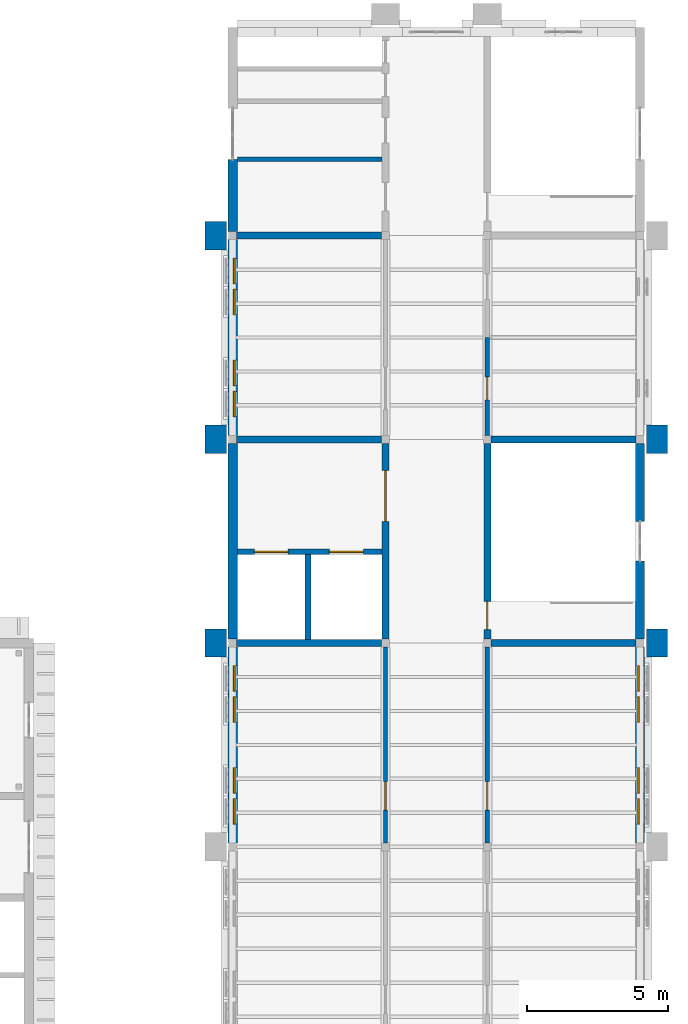
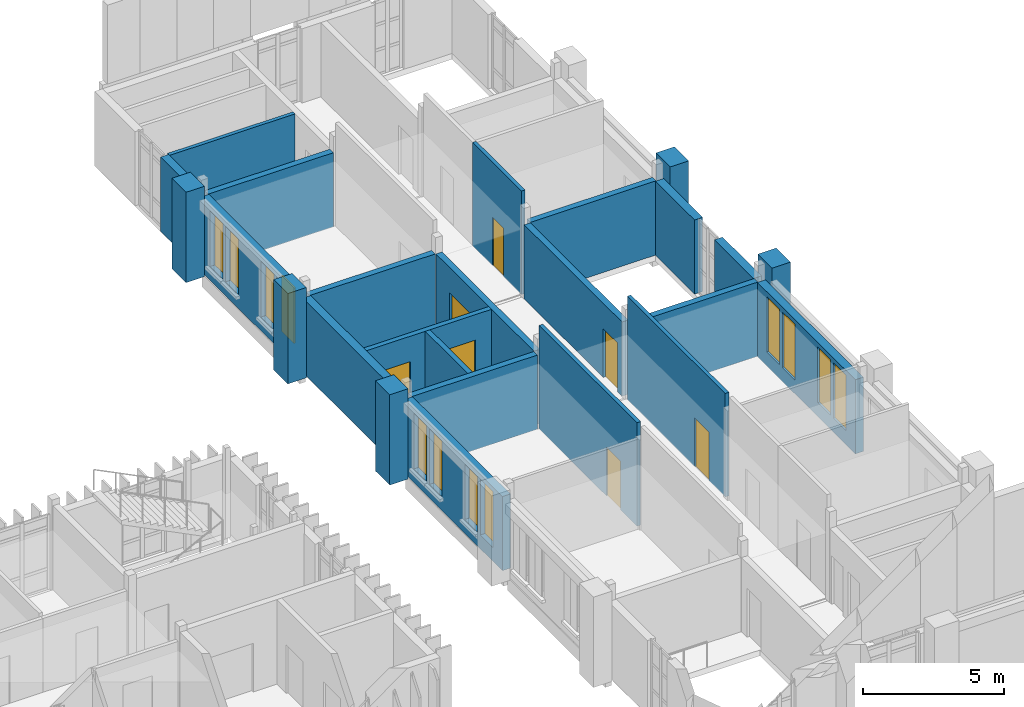
# One storey, part 47 of 71: 25 walls, 12 windows, 7 doors, 19 openings.
"""IFC4 building model written with IfcOpenShell, lengths in metres."""

from ifc_helpers import new_model, si_unit, direction, frame, frame_2d, origin, place, context, subcontext, project, spatial, rectangle, extrude, material, layer, layer_set, type_object, element, fill, save


model = new_model("IFC4")

# Units and contexts
model_context = context("Model", 3, precision=1e-05, world=origin(), true_north=direction((0.0, 1.0)))
body_context = subcontext(model_context, "Body", "Model", "MODEL_VIEW")
ifc_project = project(units=[si_unit("LENGTHUNIT", "METRE"), si_unit("AREAUNIT", "SQUARE_METRE"), si_unit("VOLUMEUNIT", "CUBIC_METRE"), si_unit("PLANEANGLEUNIT", "RADIAN"), si_unit("MASSUNIT", "GRAM", prefix="KILO")], contexts=[model_context])

# Site, building, storey
site_placement = place(None, origin())
site = spatial("IfcSite", under=ifc_project, at=site_placement, CompositionType="ELEMENT")
building_placement = place(site_placement, origin())
building = spatial("IfcBuilding", under=site, at=building_placement, Name="Mazhai Court Health Centre", CompositionType="ELEMENT")
storey_placement = place(building_placement, frame((0.0, 0.0, 10.199951171875)))
storey = spatial("IfcBuildingStorey", under=building, at=storey_placement, Name="L02", CompositionType="ELEMENT", Elevation=10.199951171875)

# Walls
ifc_material_1 = material(Name="Clay brick masonry", Category="masonry")
ifc_layer_1 = layer(ifc_material_1, 0.75)
ifc_layer_set_1 = layer_set([ifc_layer_1], Name="BRICK PIER 750")
wall_type_1 = type_object("IfcWallType", Name="BRICK PIER 750", PredefinedType="SOLIDWALL", material=ifc_layer_set_1)
for number, where, z_axis, x_axis, name in (
    (1, (135.199951171875, 27.300048828125, 0.0), (0.0, 0.0, 1.0), (0.0, 1.0, 0.0), "EP-V6-L02-A3"),
    (2, (135.199951171875, 34.5, 0.0), (0.0, 0.0, 1.0), (0.0, 1.0, 0.0), "EP-V6-L02-A4"),
    (3, (135.199951171875, 41.699951171875, 0.0), (0.0, 0.0, 1.0), (0.0, 1.0, 0.0), "EP-V6-L02-A5"),
    (4, (150.800048828125, 28.300048828125, 0.0), (0.0, 0.0, 1.0), (0.0, -1.0, 0.0), "EP-V6-L02-B3"),
    (5, (150.800048828125, 35.5, 0.0), (0.0, 0.0, 1.0), (0.0, -1.0, 0.0), "EP-V6-L02-B4"),
):
    element("IfcWall", number, at=place(storey_placement, frame(where, z_axis=z_axis, x_axis=x_axis)), inside=storey, type_object=wall_type_1, Name=name, PredefinedType="SOLIDWALL", context=body_context, shape_type="SweptSolid", body=[
        extrude(rectangle(XDim=1.0, YDim=0.75, at=frame_2d((0.5, 0.0))), origin(), (0.0, 0.0, 1.0), 3.900146484375),
    ])

# Wall, openings, windows
ifc_material_2 = material(Name="Clay brick masonry", Category="masonry")
ifc_layer_2 = layer(ifc_material_2, 0.330078125)
ifc_layer_set_2 = layer_set([ifc_layer_2], Name="BRICK WALL 330 EXTERNAL")
wall_type_2 = type_object("IfcWallType", Name="BRICK WALL 330 EXTERNAL", PredefinedType="SOLIDWALL", material=ifc_layer_set_2)
wall_1_placement = place(storey_placement, frame((135.800048828125, 20.739990234375, 0.0), z_axis=(0.0, 0.0, 1.0), x_axis=(0.0, 1.0, 0.0)))
wall_1 = element("IfcWall", 6, at=wall_1_placement, inside=storey, type_object=wall_type_2, Name="EW-V6-L02-A2p0", PredefinedType="SOLIDWALL", context=body_context, shape_type="SweptSolid", body=[
    extrude(rectangle(XDim=6.919921875, YDim=0.330078125, at=frame_2d((3.4599609375, 0.0))), origin(), (0.0, 0.0, 1.0), 3.199951171875),
])
opening_1_placement = place(wall_1_placement, frame((0.659912109375, 0.0, 0.60009765625)))
opening_1 = element("IfcOpeningElement", 7, at=opening_1_placement, cuts=wall_1, Name="Opening W14", PredefinedType="OPENING", context=body_context, shape_type="SweptSolid", body=[
    extrude(rectangle(XDim=0.89990234375, YDim=2.39990234375, at=frame_2d((0.449951171875, 1.199951171875))), frame((0.0, 0.175048828125, 0.0), z_axis=(0.0, -1.0, 0.0), x_axis=(1.0, 0.0, 0.0)), (0.0, 0.0, 1.0), 0.35009765625),
])
opening_2_placement = place(wall_1_placement, frame((1.760009765625, 0.0, 0.60009765625)))
opening_2 = element("IfcOpeningElement", 8, at=opening_2_placement, cuts=wall_1, Name="Opening W14", PredefinedType="OPENING", context=body_context, shape_type="SweptSolid", body=[
    extrude(rectangle(XDim=0.89990234375, YDim=2.39990234375, at=frame_2d((0.449951171875, 1.199951171875))), frame((0.0, 0.175048828125, 0.0), z_axis=(0.0, -1.0, 0.0), x_axis=(1.0, 0.0, 0.0)), (0.0, 0.0, 1.0), 0.35009765625),
])
opening_3_placement = place(wall_1_placement, frame((4.260009765625, 0.0, 0.60009765625)))
opening_3 = element("IfcOpeningElement", 9, at=opening_3_placement, cuts=wall_1, Name="Opening W14", PredefinedType="OPENING", context=body_context, shape_type="SweptSolid", body=[
    extrude(rectangle(XDim=0.89990234375, YDim=2.39990234375, at=frame_2d((0.449951171875, 1.199951171875))), frame((0.0, 0.175048828125, 0.0), z_axis=(0.0, -1.0, 0.0), x_axis=(1.0, 0.0, 0.0)), (0.0, 0.0, 1.0), 0.35009765625),
])
opening_4_placement = place(wall_1_placement, frame((5.360107421875, 0.0, 0.60009765625)))
opening_4 = element("IfcOpeningElement", 10, at=opening_4_placement, cuts=wall_1, Name="Opening W14", PredefinedType="OPENING", context=body_context, shape_type="SweptSolid", body=[
    extrude(rectangle(XDim=0.89990234375, YDim=2.39990234375, at=frame_2d((0.449951171875, 1.199951171875))), frame((0.0, 0.175048828125, 0.0), z_axis=(0.0, -1.0, 0.0), x_axis=(1.0, 0.0, 0.0)), (0.0, 0.0, 1.0), 0.35009765625),
])
ifc_material_3 = material(Name="Teak timber frame, glazed", Category="wood")
window_type = type_object("IfcWindowType", Name="WINDOW TALL PAIRED 900x2400", PartitioningType="SINGLE_PANEL", PredefinedType="WINDOW", material=ifc_material_3)
window_1_placement = place(opening_1_placement, origin())
window_1 = element("IfcWindow", 11, at=window_1_placement, inside=storey, type_object=window_type, Name="W14 WN-V6-L02-A20a", OverallHeight=2.39990234375, OverallWidth=0.89990234375, PartitioningType="SINGLE_PANEL", PredefinedType="WINDOW", context=body_context, shape_type="SweptSolid", body=[
    extrude(rectangle(XDim=0.89990234375, YDim=2.39990234375, at=frame_2d((0.449951171875, 1.199951171875))), frame((0.0, -0.030029296875, 0.0), z_axis=(0.0, -1.0, 0.0), x_axis=(1.0, 0.0, 0.0)), (0.0, 0.0, 1.0), 0.06005859375),
])
fill(opening_1, window_1)
window_2_placement = place(opening_2_placement, origin())
window_2 = element("IfcWindow", 12, at=window_2_placement, inside=storey, type_object=window_type, Name="W14 WN-V6-L02-A20b", OverallHeight=2.39990234375, OverallWidth=0.89990234375, PartitioningType="SINGLE_PANEL", PredefinedType="WINDOW", context=body_context, shape_type="SweptSolid", body=[
    extrude(rectangle(XDim=0.89990234375, YDim=2.39990234375, at=frame_2d((0.449951171875, 1.199951171875))), frame((0.0, -0.030029296875, 0.0), z_axis=(0.0, -1.0, 0.0), x_axis=(1.0, 0.0, 0.0)), (0.0, 0.0, 1.0), 0.06005859375),
])
fill(opening_2, window_2)
window_3_placement = place(opening_3_placement, origin())
window_3 = element("IfcWindow", 13, at=window_3_placement, inside=storey, type_object=window_type, Name="W14 WN-V6-L02-A21a", OverallHeight=2.39990234375, OverallWidth=0.89990234375, PartitioningType="SINGLE_PANEL", PredefinedType="WINDOW", context=body_context, shape_type="SweptSolid", body=[
    extrude(rectangle(XDim=0.89990234375, YDim=2.39990234375, at=frame_2d((0.449951171875, 1.199951171875))), frame((0.0, -0.030029296875, 0.0), z_axis=(0.0, -1.0, 0.0), x_axis=(1.0, 0.0, 0.0)), (0.0, 0.0, 1.0), 0.06005859375),
])
fill(opening_3, window_3)
window_4_placement = place(opening_4_placement, origin())
window_4 = element("IfcWindow", 14, at=window_4_placement, inside=storey, type_object=window_type, Name="W14 WN-V6-L02-A21b", OverallHeight=2.39990234375, OverallWidth=0.89990234375, PartitioningType="SINGLE_PANEL", PredefinedType="WINDOW", context=body_context, shape_type="SweptSolid", body=[
    extrude(rectangle(XDim=0.89990234375, YDim=2.39990234375, at=frame_2d((0.449951171875, 1.199951171875))), frame((0.0, -0.030029296875, 0.0), z_axis=(0.0, -1.0, 0.0), x_axis=(1.0, 0.0, 0.0)), (0.0, 0.0, 1.0), 0.06005859375),
])
fill(opening_4, window_4)

# Wall
wall_2_placement = place(storey_placement, frame((135.800048828125, 27.93994140625, 0.0), z_axis=(0.0, 0.0, 1.0), x_axis=(0.0, 1.0, 0.0)))
element("IfcWall", 15, at=wall_2_placement, inside=storey, type_object=wall_type_2, Name="EW-V6-L02-A3", PredefinedType="SOLIDWALL", context=body_context, shape_type="SweptSolid", body=[
    extrude(rectangle(XDim=6.920166015625, YDim=0.330078125, at=frame_2d((3.4599609375, 0.0))), origin(), (0.0, 0.0, 1.0), 3.199951171875),
])

# Wall, openings, windows
wall_3_placement = place(storey_placement, frame((135.800048828125, 35.139892578125, 0.0), z_axis=(0.0, 0.0, 1.0), x_axis=(0.0, 1.0, 0.0)))
wall_3 = element("IfcWall", 16, at=wall_3_placement, inside=storey, type_object=wall_type_2, Name="EW-V6-L02-A4p0", PredefinedType="SOLIDWALL", context=body_context, shape_type="SweptSolid", body=[
    extrude(rectangle(XDim=6.920166015625, YDim=0.330078125, at=frame_2d((3.4599609375, 0.0))), origin(), (0.0, 0.0, 1.0), 3.199951171875),
])
opening_5_placement = place(wall_3_placement, frame((0.659912109375, 0.0, 0.60009765625)))
opening_5 = element("IfcOpeningElement", 17, at=opening_5_placement, cuts=wall_3, Name="Opening W14", PredefinedType="OPENING", context=body_context, shape_type="SweptSolid", body=[
    extrude(rectangle(XDim=0.89990234375, YDim=2.39990234375, at=frame_2d((0.449951171875, 1.199951171875))), frame((0.0, 0.175048828125, 0.0), z_axis=(0.0, -1.0, 0.0), x_axis=(1.0, 0.0, 0.0)), (0.0, 0.0, 1.0), 0.35009765625),
])
opening_6_placement = place(wall_3_placement, frame((1.760009765625, 0.0, 0.60009765625)))
opening_6 = element("IfcOpeningElement", 18, at=opening_6_placement, cuts=wall_3, Name="Opening W14", PredefinedType="OPENING", context=body_context, shape_type="SweptSolid", body=[
    extrude(rectangle(XDim=0.89990234375, YDim=2.39990234375, at=frame_2d((0.449951171875, 1.199951171875))), frame((0.0, 0.175048828125, 0.0), z_axis=(0.0, -1.0, 0.0), x_axis=(1.0, 0.0, 0.0)), (0.0, 0.0, 1.0), 0.35009765625),
])
opening_7_placement = place(wall_3_placement, frame((4.260009765625, 0.0, 0.60009765625)))
opening_7 = element("IfcOpeningElement", 19, at=opening_7_placement, cuts=wall_3, Name="Opening W14", PredefinedType="OPENING", context=body_context, shape_type="SweptSolid", body=[
    extrude(rectangle(XDim=0.89990234375, YDim=2.39990234375, at=frame_2d((0.449951171875, 1.199951171875))), frame((0.0, 0.175048828125, 0.0), z_axis=(0.0, -1.0, 0.0), x_axis=(1.0, 0.0, 0.0)), (0.0, 0.0, 1.0), 0.35009765625),
])
opening_8_placement = place(wall_3_placement, frame((5.360107421875, 0.0, 0.60009765625)))
opening_8 = element("IfcOpeningElement", 20, at=opening_8_placement, cuts=wall_3, Name="Opening W14", PredefinedType="OPENING", context=body_context, shape_type="SweptSolid", body=[
    extrude(rectangle(XDim=0.89990234375, YDim=2.39990234375, at=frame_2d((0.449951171875, 1.199951171875))), frame((0.0, 0.175048828125, 0.0), z_axis=(0.0, -1.0, 0.0), x_axis=(1.0, 0.0, 0.0)), (0.0, 0.0, 1.0), 0.35009765625),
])
window_5_placement = place(opening_5_placement, origin())
window_5 = element("IfcWindow", 21, at=window_5_placement, inside=storey, type_object=window_type, Name="W14 WN-V6-L02-A40a", OverallHeight=2.39990234375, OverallWidth=0.89990234375, PartitioningType="SINGLE_PANEL", PredefinedType="WINDOW", context=body_context, shape_type="SweptSolid", body=[
    extrude(rectangle(XDim=0.89990234375, YDim=2.39990234375, at=frame_2d((0.449951171875, 1.199951171875))), frame((0.0, -0.030029296875, 0.0), z_axis=(0.0, -1.0, 0.0), x_axis=(1.0, 0.0, 0.0)), (0.0, 0.0, 1.0), 0.06005859375),
])
fill(opening_5, window_5)
window_6_placement = place(opening_6_placement, origin())
window_6 = element("IfcWindow", 22, at=window_6_placement, inside=storey, type_object=window_type, Name="W14 WN-V6-L02-A40b", OverallHeight=2.39990234375, OverallWidth=0.89990234375, PartitioningType="SINGLE_PANEL", PredefinedType="WINDOW", context=body_context, shape_type="SweptSolid", body=[
    extrude(rectangle(XDim=0.89990234375, YDim=2.39990234375, at=frame_2d((0.449951171875, 1.199951171875))), frame((0.0, -0.030029296875, 0.0), z_axis=(0.0, -1.0, 0.0), x_axis=(1.0, 0.0, 0.0)), (0.0, 0.0, 1.0), 0.06005859375),
])
fill(opening_6, window_6)
window_7_placement = place(opening_7_placement, origin())
window_7 = element("IfcWindow", 23, at=window_7_placement, inside=storey, type_object=window_type, Name="W14 WN-V6-L02-A41a", OverallHeight=2.39990234375, OverallWidth=0.89990234375, PartitioningType="SINGLE_PANEL", PredefinedType="WINDOW", context=body_context, shape_type="SweptSolid", body=[
    extrude(rectangle(XDim=0.89990234375, YDim=2.39990234375, at=frame_2d((0.449951171875, 1.199951171875))), frame((0.0, -0.030029296875, 0.0), z_axis=(0.0, -1.0, 0.0), x_axis=(1.0, 0.0, 0.0)), (0.0, 0.0, 1.0), 0.06005859375),
])
fill(opening_7, window_7)
window_8_placement = place(opening_8_placement, origin())
window_8 = element("IfcWindow", 24, at=window_8_placement, inside=storey, type_object=window_type, Name="W14 WN-V6-L02-A41b", OverallHeight=2.39990234375, OverallWidth=0.89990234375, PartitioningType="SINGLE_PANEL", PredefinedType="WINDOW", context=body_context, shape_type="SweptSolid", body=[
    extrude(rectangle(XDim=0.89990234375, YDim=2.39990234375, at=frame_2d((0.449951171875, 1.199951171875))), frame((0.0, -0.030029296875, 0.0), z_axis=(0.0, -1.0, 0.0), x_axis=(1.0, 0.0, 0.0)), (0.0, 0.0, 1.0), 0.06005859375),
])
fill(opening_8, window_8)

# Wall
wall_4_placement = place(storey_placement, frame((135.800048828125, 42.340087890625, 0.0), z_axis=(0.0, 0.0, 1.0), x_axis=(0.0, 1.0, 0.0)))
element("IfcWall", 25, at=wall_4_placement, inside=storey, type_object=wall_type_2, Name="EW-V6-L02-A5a", PredefinedType="SOLIDWALL", context=body_context, shape_type="SweptSolid", body=[
    extrude(rectangle(XDim=2.559814453125, YDim=0.330078125, at=frame_2d((1.27978515625, 0.0))), origin(), (0.0, 0.0, 1.0), 3.199951171875),
])

# Wall, openings, windows
wall_5_placement = place(storey_placement, frame((150.199951171875, 27.659912109375, 0.0), z_axis=(0.0, 0.0, 1.0), x_axis=(0.0, -1.0, 0.0)))
wall_5 = element("IfcWall", 26, at=wall_5_placement, inside=storey, type_object=wall_type_2, Name="EW-V6-L02-B2p0", PredefinedType="SOLIDWALL", context=body_context, shape_type="SweptSolid", body=[
    extrude(rectangle(XDim=6.919921875, YDim=0.330078125, at=frame_2d((3.4599609375, 0.0))), origin(), (0.0, 0.0, 1.0), 3.199951171875),
])
opening_9_placement = place(wall_5_placement, frame((5.360107421875, 0.0, 0.60009765625)))
opening_9 = element("IfcOpeningElement", 27, at=opening_9_placement, cuts=wall_5, Name="Opening W14", PredefinedType="OPENING", context=body_context, shape_type="SweptSolid", body=[
    extrude(rectangle(XDim=0.89990234375, YDim=2.39990234375, at=frame_2d((0.449951171875, 1.199951171875))), frame((0.0, 0.175048828125, 0.0), z_axis=(0.0, -1.0, 0.0), x_axis=(1.0, 0.0, 0.0)), (0.0, 0.0, 1.0), 0.35009765625),
])
opening_10_placement = place(wall_5_placement, frame((4.260009765625, 0.0, 0.60009765625)))
opening_10 = element("IfcOpeningElement", 28, at=opening_10_placement, cuts=wall_5, Name="Opening W14", PredefinedType="OPENING", context=body_context, shape_type="SweptSolid", body=[
    extrude(rectangle(XDim=0.89990234375, YDim=2.39990234375, at=frame_2d((0.449951171875, 1.199951171875))), frame((0.0, 0.175048828125, 0.0), z_axis=(0.0, -1.0, 0.0), x_axis=(1.0, 0.0, 0.0)), (0.0, 0.0, 1.0), 0.35009765625),
])
opening_11_placement = place(wall_5_placement, frame((1.760009765625, 0.0, 0.60009765625)))
opening_11 = element("IfcOpeningElement", 29, at=opening_11_placement, cuts=wall_5, Name="Opening W14", PredefinedType="OPENING", context=body_context, shape_type="SweptSolid", body=[
    extrude(rectangle(XDim=0.89990234375, YDim=2.39990234375, at=frame_2d((0.449951171875, 1.199951171875))), frame((0.0, 0.175048828125, 0.0), z_axis=(0.0, -1.0, 0.0), x_axis=(1.0, 0.0, 0.0)), (0.0, 0.0, 1.0), 0.35009765625),
])
opening_12_placement = place(wall_5_placement, frame((0.659912109375, 0.0, 0.60009765625)))
opening_12 = element("IfcOpeningElement", 30, at=opening_12_placement, cuts=wall_5, Name="Opening W14", PredefinedType="OPENING", context=body_context, shape_type="SweptSolid", body=[
    extrude(rectangle(XDim=0.89990234375, YDim=2.39990234375, at=frame_2d((0.449951171875, 1.199951171875))), frame((0.0, 0.175048828125, 0.0), z_axis=(0.0, -1.0, 0.0), x_axis=(1.0, 0.0, 0.0)), (0.0, 0.0, 1.0), 0.35009765625),
])
window_9_placement = place(opening_9_placement, origin())
window_9 = element("IfcWindow", 31, at=window_9_placement, inside=storey, type_object=window_type, Name="W14 WN-V6-L02-B20a", OverallHeight=2.39990234375, OverallWidth=0.89990234375, PartitioningType="SINGLE_PANEL", PredefinedType="WINDOW", context=body_context, shape_type="SweptSolid", body=[
    extrude(rectangle(XDim=0.89990234375, YDim=2.39990234375, at=frame_2d((0.449951171875, 1.199951171875))), frame((0.0, -0.030029296875, 0.0), z_axis=(0.0, -1.0, 0.0), x_axis=(1.0, 0.0, 0.0)), (0.0, 0.0, 1.0), 0.06005859375),
])
fill(opening_9, window_9)
window_10_placement = place(opening_10_placement, origin())
window_10 = element("IfcWindow", 32, at=window_10_placement, inside=storey, type_object=window_type, Name="W14 WN-V6-L02-B20b", OverallHeight=2.39990234375, OverallWidth=0.89990234375, PartitioningType="SINGLE_PANEL", PredefinedType="WINDOW", context=body_context, shape_type="SweptSolid", body=[
    extrude(rectangle(XDim=0.89990234375, YDim=2.39990234375, at=frame_2d((0.449951171875, 1.199951171875))), frame((0.0, -0.030029296875, 0.0), z_axis=(0.0, -1.0, 0.0), x_axis=(1.0, 0.0, 0.0)), (0.0, 0.0, 1.0), 0.06005859375),
])
fill(opening_10, window_10)
window_11_placement = place(opening_11_placement, origin())
window_11 = element("IfcWindow", 33, at=window_11_placement, inside=storey, type_object=window_type, Name="W14 WN-V6-L02-B21a", OverallHeight=2.39990234375, OverallWidth=0.89990234375, PartitioningType="SINGLE_PANEL", PredefinedType="WINDOW", context=body_context, shape_type="SweptSolid", body=[
    extrude(rectangle(XDim=0.89990234375, YDim=2.39990234375, at=frame_2d((0.449951171875, 1.199951171875))), frame((0.0, -0.030029296875, 0.0), z_axis=(0.0, -1.0, 0.0), x_axis=(1.0, 0.0, 0.0)), (0.0, 0.0, 1.0), 0.06005859375),
])
fill(opening_11, window_11)
window_12_placement = place(opening_12_placement, origin())
window_12 = element("IfcWindow", 34, at=window_12_placement, inside=storey, type_object=window_type, Name="W14 WN-V6-L02-B21b", OverallHeight=2.39990234375, OverallWidth=0.89990234375, PartitioningType="SINGLE_PANEL", PredefinedType="WINDOW", context=body_context, shape_type="SweptSolid", body=[
    extrude(rectangle(XDim=0.89990234375, YDim=2.39990234375, at=frame_2d((0.449951171875, 1.199951171875))), frame((0.0, -0.030029296875, 0.0), z_axis=(0.0, -1.0, 0.0), x_axis=(1.0, 0.0, 0.0)), (0.0, 0.0, 1.0), 0.06005859375),
])
fill(opening_12, window_12)

# Walls
for number, where, z_axis, x_axis, name in (
    (35, (150.199951171875, 30.699951171875, 0.0), (0.0, 0.0, 1.0), (0.0, -1.0, 0.0), "EW-V6-L02-B3a"),
    (36, (150.199951171875, 34.860107421875, 0.0), (0.0, 0.0, 1.0), (0.0, -1.0, 0.0), "EW-V6-L02-B3b"),
):
    element("IfcWall", number, at=place(storey_placement, frame(where, z_axis=z_axis, x_axis=x_axis)), inside=storey, type_object=wall_type_2, Name=name, PredefinedType="SOLIDWALL", context=body_context, shape_type="SweptSolid", body=[
        extrude(rectangle(XDim=2.760009765625, YDim=0.330078125, at=frame_2d((1.3798828125, 0.0))), origin(), (0.0, 0.0, 1.0), 3.199951171875),
    ])

# Wall, opening, door
ifc_material_4 = material(Name="Gypsum plasterboard partition")
ifc_layer_3 = layer(ifc_material_4, 0.14990234375)
ifc_layer_set_3 = layer_set([ifc_layer_3], Name="PARTITION 150 CORRIDOR EI60")
wall_type_3 = type_object("IfcWallType", Name="PARTITION 150 CORRIDOR EI60", PredefinedType="PARTITIONING", material=ifc_layer_set_3)
wall_6_placement = place(storey_placement, frame((141.199951171875, 20.739990234375, 0.0), z_axis=(0.0, 0.0, 1.0), x_axis=(0.0, 1.0, 0.0)))
wall_6 = element("IfcWall", 37, at=wall_6_placement, inside=storey, type_object=wall_type_3, Name="wall-V6-L02-A0-corr-1a", PredefinedType="PARTITIONING", context=body_context, shape_type="SweptSolid", body=[
    extrude(rectangle(XDim=6.919921875, YDim=0.14990234375, at=frame_2d((3.4599609375, 0.0))), origin(), (0.0, 0.0, 1.0), 4.466552734375),
])
opening_13_placement = place(wall_6_placement, frame((1.159912109375, 0.0, 0.0)))
opening_13 = element("IfcOpeningElement", 38, at=opening_13_placement, cuts=wall_6, Name="Opening D-L02-058", PredefinedType="OPENING", context=body_context, shape_type="SweptSolid", body=[
    extrude(rectangle(XDim=1.0, YDim=2.10009765625, at=frame_2d((0.5, 1.050048828125))), frame((0.0, 0.0849609375, 0.0), z_axis=(0.0, -1.0, 0.0), x_axis=(1.0, 0.0, 0.0)), (0.0, 0.0, 1.0), 0.169921875),
])
ifc_material_5 = material(Name="Hardwood door leaf", Category="wood")
door_type_1 = type_object("IfcDoorType", Name="DOOR 1000x2100 FD30S SINGLE", OperationType="NOTDEFINED", PredefinedType="DOOR", material=ifc_material_5)
door_1_placement = place(opening_13_placement, origin())
door_1 = element("IfcDoor", 39, at=door_1_placement, inside=storey, type_object=door_type_1, Name="door-V6-L02-A0-parenting-class-room", OperationType="SINGLE_SWING_LEFT", OverallHeight=2.10009765625, OverallWidth=1.0, PredefinedType="DOOR", context=body_context, shape_type="SweptSolid", body=[
    extrude(rectangle(XDim=1.0, YDim=2.10009765625, at=frame_2d((0.5, 1.050048828125))), frame((0.0, 0.02490234375, 0.0), z_axis=(0.0, -1.0, 0.0), x_axis=(1.0, 0.0, 0.0)), (0.0, 0.0, 1.0), 0.050048828125),
])
fill(opening_13, door_1)

wall_7_placement = place(storey_placement, frame((144.800048828125, 27.659912109375, 0.0), z_axis=(0.0, 0.0, 1.0), x_axis=(0.0, -1.0, 0.0)))
wall_7 = element("IfcWall", 40, at=wall_7_placement, inside=storey, type_object=wall_type_3, Name="wall-V6-L02-B0-corr-2a", PredefinedType="PARTITIONING", context=body_context, shape_type="SweptSolid", body=[
    extrude(rectangle(XDim=6.919921875, YDim=0.14990234375, at=frame_2d((3.4599609375, 0.0))), origin(), (0.0, 0.0, 1.0), 4.466552734375),
])
opening_14_placement = place(wall_7_placement, frame((4.760009765625, 0.0, 0.0)))
opening_14 = element("IfcOpeningElement", 41, at=opening_14_placement, cuts=wall_7, Name="Opening D-L02-071", PredefinedType="OPENING", context=body_context, shape_type="SweptSolid", body=[
    extrude(rectangle(XDim=1.0, YDim=2.10009765625, at=frame_2d((0.5, 1.050048828125))), frame((0.0, 0.0849609375, 0.0), z_axis=(0.0, -1.0, 0.0), x_axis=(1.0, 0.0, 0.0)), (0.0, 0.0, 1.0), 0.169921875),
])
door_2_placement = place(opening_14_placement, origin())
door_2 = element("IfcDoor", 42, at=door_2_placement, inside=storey, type_object=door_type_1, Name="door-V6-L02-B0-community-meeting-room", OperationType="SINGLE_SWING_RIGHT", OverallHeight=2.10009765625, OverallWidth=1.0, PredefinedType="DOOR", context=body_context, shape_type="SweptSolid", body=[
    extrude(rectangle(XDim=1.0, YDim=2.10009765625, at=frame_2d((0.5, 1.050048828125))), frame((0.0, 0.02490234375, 0.0), z_axis=(0.0, -1.0, 0.0), x_axis=(1.0, 0.0, 0.0)), (0.0, 0.0, 1.0), 0.050048828125),
])
fill(opening_14, door_2)

wall_8_placement = place(storey_placement, frame((144.800048828125, 38.60009765625, 0.0), z_axis=(0.0, 0.0, 1.0), x_axis=(0.0, -1.0, 0.0)))
wall_8 = element("IfcWall", 43, at=wall_8_placement, inside=storey, type_object=wall_type_3, Name="wall-V6-L02-B1-corr-0a", PredefinedType="PARTITIONING", context=body_context, shape_type="SweptSolid", body=[
    extrude(rectangle(XDim=3.460205078125, YDim=0.14990234375, at=frame_2d((1.72998046875, 0.0))), origin(), (0.0, 0.0, 1.0), 4.466552734375),
])
opening_15_placement = place(wall_8_placement, frame((1.39990234375, 0.0, 0.0)))
opening_15 = element("IfcOpeningElement", 44, at=opening_15_placement, cuts=wall_8, Name="Opening D-L02-073", PredefinedType="OPENING", context=body_context, shape_type="SweptSolid", body=[
    extrude(rectangle(XDim=0.800048828125, YDim=2.10009765625, at=frame_2d((0.39990234375, 1.050048828125))), frame((0.0, 0.0849609375, 0.0), z_axis=(0.0, -1.0, 0.0), x_axis=(1.0, 0.0, 0.0)), (0.0, 0.0, 1.0), 0.169921875),
])
ifc_material_6 = material(Name="Hardwood door leaf", Category="wood")
door_type_2 = type_object("IfcDoorType", Name="DOOR 800x2100 FD30S SINGLE", OperationType="NOTDEFINED", PredefinedType="DOOR", material=ifc_material_6)
door_3_placement = place(opening_15_placement, origin())
door_3 = element("IfcDoor", 45, at=door_3_placement, inside=storey, type_object=door_type_2, Name="door-V6-L02-B1-records-room", OperationType="SINGLE_SWING_RIGHT", OverallHeight=2.10009765625, OverallWidth=0.800048828125, PredefinedType="DOOR", context=body_context, shape_type="SweptSolid", body=[
    extrude(rectangle(XDim=0.800048828125, YDim=2.10009765625, at=frame_2d((0.39990234375, 1.050048828125))), frame((0.0, 0.02490234375, 0.0), z_axis=(0.0, -1.0, 0.0), x_axis=(1.0, 0.0, 0.0)), (0.0, 0.0, 1.0), 0.050048828125),
])
fill(opening_15, door_3)

ifc_material_7 = material(Name="Concrete M40", Category="concrete")
ifc_layer_4 = layer(ifc_material_7, 0.25)
ifc_layer_set_4 = layer_set([ifc_layer_4], Name="RC CORE WALL 250 M40")
wall_type_4 = type_object("IfcWallType", Name="RC CORE WALL 250 M40", PredefinedType="SHEAR", material=ifc_layer_set_4)
wall_9_placement = place(storey_placement, frame((144.800048828125, 27.93994140625, 0.0), z_axis=(0.0, 0.0, 1.0), x_axis=(0.0, 1.0, 0.0)))
wall_9 = element("IfcWall", 46, at=wall_9_placement, inside=storey, type_object=wall_type_4, Name="core-C9-w-stair-corr-L02", PredefinedType="SHEAR", context=body_context, shape_type="SweptSolid", body=[
    extrude(rectangle(XDim=6.920166015625, YDim=0.25, at=frame_2d((3.4599609375, 0.0))), origin(), (0.0, 0.0, 1.0), 3.199951171875),
])
opening_16_placement = place(wall_9_placement, frame((0.3349609375, 0.0, 0.0)))
opening_16 = element("IfcOpeningElement", 47, at=opening_16_placement, cuts=wall_9, Name="Opening D-L02-072", PredefinedType="OPENING", context=body_context, shape_type="SweptSolid", body=[
    extrude(rectangle(XDim=1.0, YDim=2.10009765625, at=frame_2d((0.5, 1.050048828125))), frame((0.0, 0.135009765625, 0.0), z_axis=(0.0, -1.0, 0.0), x_axis=(1.0, 0.0, 0.0)), (0.0, 0.0, 1.0), 0.27001953125),
])
ifc_material_8 = material(Name="Steel fire door leaf", Category="steel")
door_type_3 = type_object("IfcDoorType", Name="FD120S STAIR DOOR 1000x2100", OperationType="SINGLE_SWING_LEFT", PredefinedType="DOOR", material=ifc_material_8)
door_4_placement = place(opening_16_placement, origin())
door_4 = element("IfcDoor", 48, at=door_4_placement, inside=storey, type_object=door_type_3, Name="Stair 9 door L02", OperationType="SINGLE_SWING_LEFT", OverallHeight=2.10009765625, OverallWidth=1.0, PredefinedType="DOOR", context=body_context, shape_type="SweptSolid", body=[
    extrude(rectangle(XDim=1.0, YDim=2.10009765625, at=frame_2d((0.5, 1.050048828125))), frame((0.0, 0.02490234375, 0.0), z_axis=(0.0, -1.0, 0.0), x_axis=(1.0, 0.0, 0.0)), (0.0, 0.0, 1.0), 0.050048828125),
])
fill(opening_16, door_4)

# Walls
for number, where, z_axis, x_axis, name in (
    (49, (144.93994140625, 27.800048828125, 0.0), (0.0, 0.0, 1.0), (1.0, 0.0, 0.0), "core-C9-w-stair-line0-L02"),
    (50, (144.93994140625, 35.0, 0.0), (0.0, 0.0, 1.0), (1.0, 0.0, 0.0), "core-C9-w-stair-line1-L02"),
):
    element("IfcWall", number, at=place(storey_placement, frame(where, z_axis=z_axis, x_axis=x_axis)), inside=storey, type_object=wall_type_4, Name=name, PredefinedType="SHEAR", context=body_context, shape_type="SweptSolid", body=[
        extrude(rectangle(XDim=5.1201171875, YDim=0.25, at=frame_2d((2.56005859375, 0.0))), origin(), (0.0, 0.0, 1.0), 3.199951171875),
    ])

# Wall, opening, door
wall_10_placement = place(storey_placement, frame((141.199951171875, 27.93994140625, 0.0), z_axis=(0.0, 0.0, 1.0), x_axis=(0.0, 1.0, 0.0)))
wall_10 = element("IfcWall", 51, at=wall_10_placement, inside=storey, type_object=wall_type_4, Name="core-C9-w-other-corr-L02", PredefinedType="SHEAR", context=body_context, shape_type="SweptSolid", body=[
    extrude(rectangle(XDim=6.920166015625, YDim=0.25, at=frame_2d((3.4599609375, 0.0))), origin(), (0.0, 0.0, 1.0), 3.199951171875),
])
opening_17_placement = place(wall_10_placement, frame((4.159912109375, 0.0, 0.0)))
opening_17 = element("IfcOpeningElement", 52, at=opening_17_placement, cuts=wall_10, Name="Opening D-L02-059", PredefinedType="OPENING", context=body_context, shape_type="SweptSolid", body=[
    extrude(rectangle(XDim=1.800048828125, YDim=2.10009765625, at=frame_2d((0.89990234375, 1.050048828125))), frame((0.0, 0.135009765625, 0.0), z_axis=(0.0, -1.0, 0.0), x_axis=(1.0, 0.0, 0.0)), (0.0, 0.0, 1.0), 0.27001953125),
])
ifc_material_9 = material(Name="Steel fire door leaf", Category="steel")
door_type_4 = type_object("IfcDoorType", Name="FD60S LIFT LOBBY DOOR 1800x2100", OperationType="DOUBLE_DOOR_SINGLE_SWING", PredefinedType="DOOR", material=ifc_material_9)
door_5_placement = place(opening_17_placement, origin())
door_5 = element("IfcDoor", 53, at=door_5_placement, inside=storey, type_object=door_type_4, Name="Lift lobby door L02", OperationType="DOUBLE_DOOR_SINGLE_SWING", OverallHeight=2.10009765625, OverallWidth=1.800048828125, PredefinedType="DOOR", context=body_context, shape_type="SweptSolid", body=[
    extrude(rectangle(XDim=1.800048828125, YDim=2.10009765625, at=frame_2d((0.89990234375, 1.050048828125))), frame((0.0, 0.02490234375, 0.0), z_axis=(0.0, -1.0, 0.0), x_axis=(1.0, 0.0, 0.0)), (0.0, 0.0, 1.0), 0.050048828125),
])
fill(opening_17, door_5)

# Walls
for number, where, z_axis, x_axis, name in (
    (54, (135.93994140625, 27.800048828125, 0.0), (0.0, 0.0, 1.0), (1.0, 0.0, 0.0), "core-C9-w-other-line0-L02"),
    (55, (135.93994140625, 35.0, 0.0), (0.0, 0.0, 1.0), (1.0, 0.0, 0.0), "core-C9-w-other-line1-L02"),
    (56, (135.93994140625, 42.199951171875, 0.0), (0.0, 0.0, 1.0), (1.0, 0.0, 0.0), "core-C10-w-other-line0-L02"),
):
    element("IfcWall", number, at=place(storey_placement, frame(where, z_axis=z_axis, x_axis=x_axis)), inside=storey, type_object=wall_type_4, Name=name, PredefinedType="SHEAR", context=body_context, shape_type="SweptSolid", body=[
        extrude(rectangle(XDim=5.1201171875, YDim=0.25, at=frame_2d((2.56005859375, 0.0))), origin(), (0.0, 0.0, 1.0), 3.199951171875),
    ])
ifc_material_10 = material(Name="Concrete M25", Category="concrete")
ifc_layer_5 = layer(ifc_material_10, 0.14990234375)
ifc_layer_set_5 = layer_set([ifc_layer_5], Name="RC SERVICE ROOM WALL 150 M25")
wall_type_5 = type_object("IfcWallType", Name="RC SERVICE ROOM WALL 150 M25", PredefinedType="PARTITIONING", material=ifc_layer_set_5)
wall_11_placement = place(storey_placement, frame((135.965087890625, 44.89990234375, 0.0), z_axis=(0.0, 0.0, 1.0), x_axis=(1.0, 0.0, 0.0)))
element("IfcWall", 57, at=wall_11_placement, inside=storey, type_object=wall_type_5, Name="core-C10-w-room0-L02", PredefinedType="PARTITIONING", context=body_context, shape_type="SweptSolid", body=[
    extrude(rectangle(XDim=5.10986328125, YDim=0.14990234375, at=frame_2d((2.554931640625, 0.0))), origin(), (0.0, 0.0, 1.0), 3.199951171875),
])

# Wall, openings, doors
ifc_material_11 = material(Name="Concrete M40", Category="concrete")
ifc_layer_6 = layer(ifc_material_11, 0.199951171875)
ifc_layer_set_6 = layer_set([ifc_layer_6], Name="RC SHAFT WALL 200 M40")
wall_type_6 = type_object("IfcWallType", Name="RC SHAFT WALL 200 M40", PredefinedType="SHEAR", material=ifc_layer_set_6)
wall_12_placement = place(storey_placement, frame((135.965087890625, 31.02490234375, 0.0), z_axis=(0.0, 0.0, 1.0), x_axis=(1.0, 0.0, 0.0)))
wall_12 = element("IfcWall", 58, at=wall_12_placement, inside=storey, type_object=wall_type_6, Name="core-C9-w-front-L02", PredefinedType="SHEAR", context=body_context, shape_type="SweptSolid", body=[
    extrude(rectangle(XDim=5.10986328125, YDim=0.199951171875, at=frame_2d((2.554931640625, 0.0))), origin(), (0.0, 0.0, 1.0), 3.199951171875),
])
opening_18_placement = place(wall_12_placement, frame((0.60009765625, 0.0, 0.0)))
opening_18 = element("IfcOpeningElement", 59, at=opening_18_placement, cuts=wall_12, Name="Opening LD9-L02", PredefinedType="OPENING", context=body_context, shape_type="SweptSolid", body=[
    extrude(rectangle(XDim=1.199951171875, YDim=2.10009765625, at=frame_2d((0.60009765625, 1.050048828125))), frame((0.0, 0.10986328125, 0.0), z_axis=(0.0, -1.0, 0.0), x_axis=(1.0, 0.0, 0.0)), (0.0, 0.0, 1.0), 0.219970703125),
])
opening_19_placement = place(wall_12_placement, frame((3.2548828125, 0.0, 0.0)))
opening_19 = element("IfcOpeningElement", 60, at=opening_19_placement, cuts=wall_12, Name="Opening D-L02-055", PredefinedType="OPENING", context=body_context, shape_type="SweptSolid", body=[
    extrude(rectangle(XDim=1.199951171875, YDim=2.10009765625, at=frame_2d((0.60009765625, 1.050048828125))), frame((0.0, 0.10986328125, 0.0), z_axis=(0.0, -1.0, 0.0), x_axis=(1.0, 0.0, 0.0)), (0.0, 0.0, 1.0), 0.219970703125),
])
ifc_material_12 = material(Name="Steel fire door leaf", Category="steel")
door_type_5 = type_object("IfcDoorType", Name="FD60S RISER ACCESS DOOR 1200x2100", OperationType="DOUBLE_DOOR_SINGLE_SWING", PredefinedType="DOOR", material=ifc_material_12)
door_6_placement = place(opening_19_placement, origin())
door_6 = element("IfcDoor", 61, at=door_6_placement, inside=storey, type_object=door_type_5, Name="Riser door L02", OperationType="DOUBLE_DOOR_SINGLE_SWING", OverallHeight=2.10009765625, OverallWidth=1.199951171875, PredefinedType="DOOR", context=body_context, shape_type="SweptSolid", body=[
    extrude(rectangle(XDim=1.199951171875, YDim=2.10009765625, at=frame_2d((0.60009765625, 1.050048828125))), frame((0.0, 0.02490234375, 0.0), z_axis=(0.0, -1.0, 0.0), x_axis=(1.0, 0.0, 0.0)), (0.0, 0.0, 1.0), 0.050048828125),
])
fill(opening_19, door_6)
ifc_material_13 = material(Name="Stainless steel lift door", Category="steel")
door_type_6 = type_object("IfcDoorType", Name="LIFT LANDING DOOR 1200x2100", OperationType="DOUBLE_DOOR_SLIDING", PredefinedType="DOOR", material=ifc_material_13)
door_7_placement = place(opening_18_placement, origin())
door_7 = element("IfcDoor", 62, at=door_7_placement, inside=storey, type_object=door_type_6, Name="Landing door LD9 L02", OperationType="DOUBLE_DOOR_SLIDING", OverallHeight=2.10009765625, OverallWidth=1.199951171875, PredefinedType="DOOR", context=body_context, shape_type="SweptSolid", body=[
    extrude(rectangle(XDim=1.199951171875, YDim=2.10009765625, at=frame_2d((0.60009765625, 1.050048828125))), frame((0.0, 0.02490234375, 0.0), z_axis=(0.0, -1.0, 0.0), x_axis=(1.0, 0.0, 0.0)), (0.0, 0.0, 1.0), 0.050048828125),
])
fill(opening_18, door_7)

# Wall
wall_13_placement = place(storey_placement, frame((138.465087890625, 27.925048828125, 0.0), z_axis=(0.0, 0.0, 1.0), x_axis=(0.0, 1.0, 0.0)))
element("IfcWall", 63, at=wall_13_placement, inside=storey, type_object=wall_type_6, Name="core-C9-w-divider0-L02", PredefinedType="SHEAR", context=body_context, shape_type="SweptSolid", body=[
    extrude(rectangle(XDim=3.0, YDim=0.199951171875, at=frame_2d((1.5, 0.0))), origin(), (0.0, 0.0, 1.0), 3.199951171875),
])

save(model, "model.ifc")
